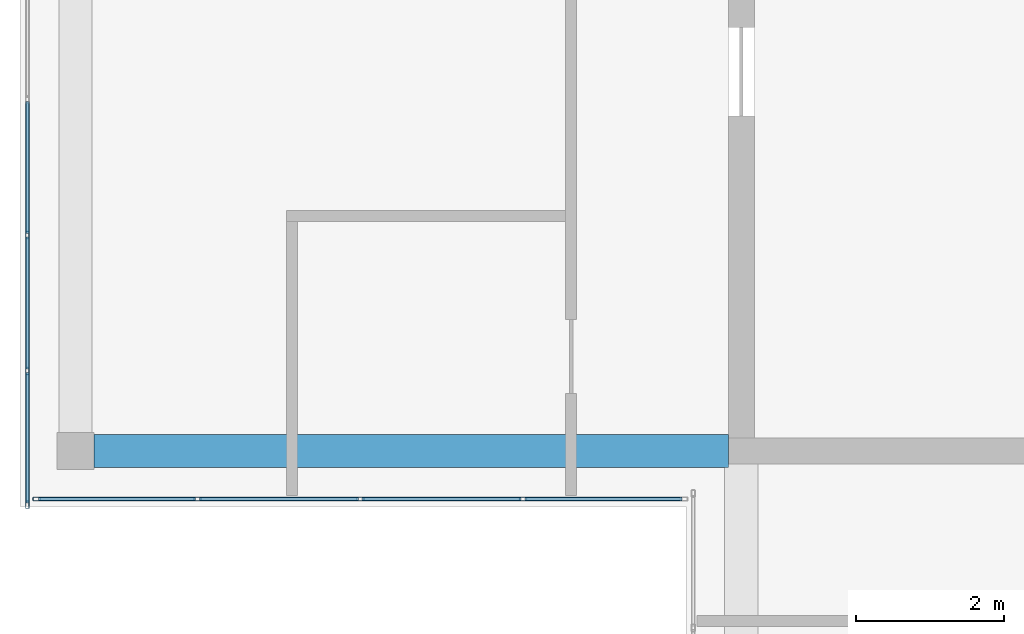
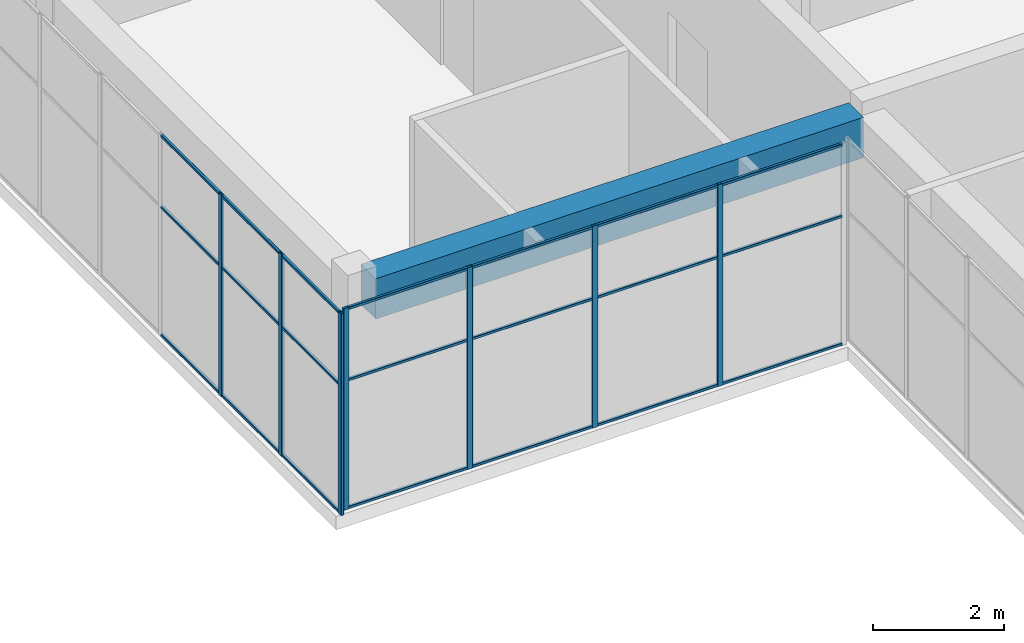
# One storey, part 4 of 34: 28 members, 1 beam, 2 elements without a shape of their own.
"""IFC4 building model written with IfcOpenShell, lengths in metres."""

import ifcopenshell
import ifcopenshell.guid

model = None  # the IFC model being written
_history = None  # IfcOwnerHistory: only IFC2X3 demands one
_inside = {}  # id of a spatial element -> (the spatial element, [elements in it])
_under = {}  # id of a project, library or spatial element -> (it, [spatial elements below it])
_declared = {}  # id of a project -> (the project, [libraries it declares])
_typed = {}  # id of a type object -> (the type object, [elements of that type])
_made_of = {}  # id of a material, layer set ... -> (it, [elements and type objects made of it])


def new_model(schema):
    """Start an empty IFC model of exactly this schema.

    Asked for "IFC4X3", IfcOpenShell would pick the latest addendum, in which some entities
    have other attributes; the version numbers below select the first issue.
    IFC2X3 requires an IfcOwnerHistory on every rooted entity: one is made here for all.
    """
    global model, _history
    if schema == "IFC4X3":
        model = ifcopenshell.file(schema_version=(4, 3, 0, 0))
    else:
        model = ifcopenshell.file(schema=schema)
    _inside.clear()
    _under.clear()
    _declared.clear()
    _typed.clear()
    _made_of.clear()
    _history = None
    if model.schema == "IFC2X3":
        org = make("IfcOrganization", Name="unknown")
        user = make(
            "IfcPersonAndOrganization",
            ThePerson=make("IfcPerson", FamilyName="unknown"),
            TheOrganization=org,
        )
        app = make(
            "IfcApplication",
            ApplicationDeveloper=org,
            Version="unknown",
            ApplicationFullName="unknown",
            ApplicationIdentifier="unknown",
        )
        _history = make(
            "IfcOwnerHistory",
            OwningUser=user,
            OwningApplication=app,
            ChangeAction="ADDED",
            CreationDate=0,
        )
    return model


def make(cls, **values):
    """One entity of the class cls with the attributes given. An attribute that is None is left unset."""
    return model.create_entity(
        cls, **{name: value for name, value in values.items() if value is not None}
    )


def rooted(cls, **values):
    """An entity with a GlobalId (a new one), such as an element, a storey or a relation."""
    return make(cls, GlobalId=ifcopenshell.guid.new(), OwnerHistory=_history, **values)


def si_unit(unit_type, name, prefix=None):
    """IfcSIUnit, for example si_unit("LENGTHUNIT", "METRE", prefix="MILLI")."""
    return make("IfcSIUnit", UnitType=unit_type, Prefix=prefix, Name=name)


def assignment(units):
    """IfcUnitAssignment: the units of a project."""
    return None if units is None else make("IfcUnitAssignment", Units=units)


def point(xyz):
    """IfcCartesianPoint."""
    return None if xyz is None else make("IfcCartesianPoint", Coordinates=xyz)


def direction(xyz):
    """IfcDirection."""
    return None if xyz is None else make("IfcDirection", DirectionRatios=xyz)


def frame(location, z_axis=None, x_axis=None):
    """IfcAxis2Placement3D, a coordinate frame: its origin and axes. An axis left out is left unset."""
    return make(
        "IfcAxis2Placement3D",
        Location=point(location),
        Axis=direction(z_axis),
        RefDirection=direction(x_axis),
    )


def frame_2d(location, x_axis=None):
    """IfcAxis2Placement2D, a coordinate frame in the plane: its origin and x axis."""
    return make(
        "IfcAxis2Placement2D", Location=point(location), RefDirection=direction(x_axis)
    )


def origin():
    """The frame at (0, 0, 0) with its axes left unset."""
    return frame((0.0, 0.0, 0.0))


def origin_2d():
    """The frame at (0, 0) in the plane with its x axis left unset."""
    return frame_2d((0.0, 0.0))


def place(relative_to, where):
    """IfcLocalPlacement: puts the frame where relative to a parent placement (None: the world)."""
    return make(
        "IfcLocalPlacement", PlacementRelTo=relative_to, RelativePlacement=where
    )


def context(
    kind, dimensions, precision=None, world=None, true_north=None, identifier=None
):
    """IfcGeometricRepresentationContext, for example the 3D "Model" context."""
    return make(
        "IfcGeometricRepresentationContext",
        ContextIdentifier=identifier,
        ContextType=kind,
        CoordinateSpaceDimension=dimensions,
        Precision=precision,
        WorldCoordinateSystem=world,
        TrueNorth=true_north,
    )


def subcontext(parent, identifier, kind, view, scale=None):
    """IfcGeometricRepresentationSubContext, for example "Body" below "Model"."""
    return make(
        "IfcGeometricRepresentationSubContext",
        ContextIdentifier=identifier,
        ContextType=kind,
        ParentContext=parent,
        TargetScale=scale,
        TargetView=view,
    )


def project(units=None, contexts=None):
    """IfcProject with its units and contexts."""
    return rooted(
        "IfcProject",
        Name="project",
        RepresentationContexts=contexts,
        UnitsInContext=assignment(units),
    )


def spatial(cls, under=None, at=None, **own):
    """A site, building, storey or space (cls), placed at a placement, below another one or the project."""
    s = rooted(cls, ObjectPlacement=at, **own)
    if under is not None:
        _under.setdefault(under.id(), (under, []))[1].append(s)
    return s


def profile(cls, at=None, kind="AREA", **sizes):
    """A parametric profile (cls). Its sizes go by their IFC names, for example OverallWidth=200.0."""
    return make(cls, ProfileType=kind, Position=at, **sizes)


def rectangle(**sizes):
    """IfcRectangleProfileDef."""
    return profile("IfcRectangleProfileDef", **sizes)


def hollow_rectangle(**sizes):
    """IfcRectangleHollowProfileDef."""
    return profile("IfcRectangleHollowProfileDef", **sizes)


def extrude(swept, where, along, depth):
    """IfcExtrudedAreaSolid: the profile swept, set in the frame where, extruded along a direction by depth."""
    return make(
        "IfcExtrudedAreaSolid",
        SweptArea=swept,
        Position=where,
        ExtrudedDirection=direction(along),
        Depth=depth,
    )


def shape(context_of_items, identifier, shape_type, items):
    """IfcShapeRepresentation: the items that make up one representation, for example the "Body"."""
    return make(
        "IfcShapeRepresentation",
        ContextOfItems=context_of_items,
        RepresentationIdentifier=identifier,
        RepresentationType=shape_type,
        Items=items,
    )


def material(Name=None, Category=None):
    """IfcMaterial."""
    return make("IfcMaterial", Name=Name, Category=Category)


def layer(
    of_material, thickness, ventilated=None, Name=None, Category=None, Priority=None
):
    """IfcMaterialLayer: one layer of a wall or slab, of a material (None: an air gap)."""
    return make(
        "IfcMaterialLayer",
        Material=of_material,
        LayerThickness=thickness,
        IsVentilated=ventilated,
        Name=Name,
        Category=Category,
        Priority=Priority,
    )


def layer_set(layers, Name=None):
    """IfcMaterialLayerSet."""
    return make("IfcMaterialLayerSet", MaterialLayers=layers, LayerSetName=Name)


def material_profile(
    of_material, cross_section, Name=None, Category=None, Priority=None
):
    """IfcMaterialProfile: a cross section and its material."""
    return make(
        "IfcMaterialProfile",
        Name=Name,
        Material=of_material,
        Profile=cross_section,
        Priority=Priority,
        Category=Category,
    )


def profile_set(profiles, Name=None, composite=None):
    """IfcMaterialProfileSet."""
    return make(
        "IfcMaterialProfileSet",
        Name=Name,
        MaterialProfiles=profiles,
        CompositeProfile=composite,
    )


def made_of(thing, what):
    """Note that an element or type object is made of a material, layer set ...; save() writes the relation."""
    if what is not None:
        _made_of.setdefault(what.id(), (what, []))[1].append(thing)
    return thing


def type_object(cls, material=None, **own):
    """A type object (cls), such as IfcWallType, which elements share."""
    return made_of(rooted(cls, **own), material)


def element(
    cls,
    number,
    at=None,
    inside=None,
    cuts=None,
    type_object=None,
    material=None,
    context=None,
    identifier="Body",
    shape_type=None,
    held_by="IfcProductDefinitionShape",
    body=None,
    shapes=None,
    **own,
):
    """One element of the class cls, such as IfcWall. Its Tag is "e" and its number.

    at: its placement. inside: the storey or other place that contains it. cuts: it is an
    opening in that element (IfcRelVoidsElement). A single representation is given by context,
    identifier, shape_type and body (its items); several are given by shapes. held_by: the class
    of the entity that holds the representations. save() writes the other relations.
    """
    e = rooted(cls, Tag="e%d" % number, ObjectPlacement=at, **own)
    if body is not None:
        shapes = [shape(context, identifier, shape_type, body)]
    if shapes is not None:
        e.Representation = make(held_by, Representations=shapes)
    if inside is not None:
        _inside.setdefault(inside.id(), (inside, []))[1].append(e)
    if cuts is not None:
        rooted(
            "IfcRelVoidsElement", RelatingBuildingElement=cuts, RelatedOpeningElement=e
        )
    if type_object is not None:
        _typed.setdefault(type_object.id(), (type_object, []))[1].append(e)
    return made_of(e, material)


def aggregate(whole, parts):
    """IfcRelAggregates: a whole, such as a stair, and the parts it consists of."""
    return rooted("IfcRelAggregates", RelatingObject=whole, RelatedObjects=parts)


def save(model, path):
    """Write the relations noted so far, then the file.

    IfcRelAggregates (storeys below a building ...), IfcRelContainedInSpatialStructure (elements
    in a storey), IfcRelDefinesByType, IfcRelAssociatesMaterial and IfcRelDeclares: one each for
    every whole, place, type object, material and project.
    """
    for whole, parts in _under.values():
        aggregate(whole, parts)
    for where, things in _inside.values():
        rooted(
            "IfcRelContainedInSpatialStructure",
            RelatedElements=things,
            RelatingStructure=where,
        )
    for kind, things in _typed.values():
        rooted("IfcRelDefinesByType", RelatedObjects=things, RelatingType=kind)
    for what, things in _made_of.values():
        rooted("IfcRelAssociatesMaterial", RelatedObjects=things, RelatingMaterial=what)
    for by, libraries in _declared.values():
        rooted("IfcRelDeclares", RelatingContext=by, RelatedDefinitions=libraries)
    model.write(path)


model = new_model("IFC4")

# Units and contexts
model_context = context("Model", 3, precision=1e-05, world=origin(), true_north=direction((0.0, 1.0)))
body_context = subcontext(model_context, "Body", "Model", "MODEL_VIEW")
ifc_project = project(units=[si_unit("LENGTHUNIT", "METRE"), si_unit("AREAUNIT", "SQUARE_METRE"), si_unit("VOLUMEUNIT", "CUBIC_METRE"), si_unit("PLANEANGLEUNIT", "RADIAN"), si_unit("MASSUNIT", "GRAM", prefix="KILO")], contexts=[model_context])

# Site, building, storey
site_placement = place(None, origin())
site = spatial("IfcSite", under=ifc_project, at=site_placement, CompositionType="ELEMENT")
building_placement = place(site_placement, origin())
building = spatial("IfcBuilding", under=site, at=building_placement, Name="Tuart Plaza Theatre", CompositionType="ELEMENT")
storey_placement = place(building_placement, frame((0.0, 0.0, 57.5)))
storey = spatial("IfcBuildingStorey", under=building, at=storey_placement, Name="L14", CompositionType="ELEMENT", Elevation=57.5)

# Beam
ifc_material_1 = material(Name="Concrete N40 (40 MPa)", Category="concrete")
ifc_material_profile_1 = material_profile(ifc_material_1, rectangle(XDim=0.449951171875, YDim=0.75, at=origin_2d()), Name="BEAM 450x750 Concrete N40 (40 MPa)")
ifc_profile_set_1 = profile_set([ifc_material_profile_1], Name="Concrete N40 (40 MPa)")
beam_type = type_object("IfcBeamType", Name="BEAM 450x750 Concrete N40 (40 MPa)", PredefinedType="BEAM", material=ifc_profile_set_1)
beam_placement = place(storey_placement, frame((114.25, 65.0, 3.375), z_axis=(1.0, 0.0, 0.0), x_axis=(0.0, 1.0, 0.0)))
element("IfcBeam", 1, at=beam_placement, inside=storey, type_object=beam_type, Name="RB319", PredefinedType="BEAM", context=body_context, shape_type="SweptSolid", body=[
    extrude(rectangle(XDim=0.449951171875, YDim=0.75, at=origin_2d()), origin(), (0.0, 0.0, 1.0), 8.574951171875),
])

# Curtain wall, members
ifc_material_2 = material(Name="Aluminium and glass", Category="aluminium")
ifc_layer_1 = layer(ifc_material_2, 0.10009765625)
ifc_layer_set_1 = layer_set([ifc_layer_1], Name="CURTAIN WALL 1800 module")
curtain_wall_type_1 = type_object("IfcCurtainWallType", Name="CURTAIN WALL 1800 module", PredefinedType="NOTDEFINED", material=ifc_layer_set_1)
curtain_wall_1_placement = place(storey_placement, origin())
curtain_wall_1 = element("IfcCurtainWall", 2, at=curtain_wall_1_placement, inside=storey, type_object=curtain_wall_type_1, Name="CW118", PredefinedType="NOTDEFINED")
ifc_material_3 = material(Name="Aluminium 6063-T5", Category="aluminium")
ifc_material_profile_2 = material_profile(ifc_material_3, hollow_rectangle(XDim=0.050048828125, YDim=0.10009765625, WallThickness=0.00390625, InnerFilletRadius=0.00390625, OuterFilletRadius=0.008056640625, at=origin_2d()), Name="RHS 100x50x4")
ifc_profile_set_2 = profile_set([ifc_material_profile_2], Name="Aluminium 6063-T5")
member_type_1 = type_object("IfcMemberType", Name="MULLION RHS 100x50x4", PredefinedType="MULLION", material=ifc_profile_set_2)
member_1_placement = place(storey_placement, frame((113.35009765625, 67.916748046875, 0.0), z_axis=(0.0, 0.0, 1.0), x_axis=(1.0, 0.0, 0.0)))
member_1 = element("IfcMember", 3, at=member_1_placement, type_object=member_type_1, Name="CW118 mullion 17", PredefinedType="MULLION", context=body_context, shape_type="SweptSolid", body=[
    extrude(hollow_rectangle(XDim=0.050048828125, YDim=0.10009765625, WallThickness=0.00390625, InnerFilletRadius=0.00390625, OuterFilletRadius=0.008056640625, at=origin_2d()), origin(), (0.0, 0.0, 1.0), 3.75),
])
member_2_placement = place(storey_placement, frame((113.35009765625, 66.083251953125, 0.0), z_axis=(0.0, 0.0, 1.0), x_axis=(1.0, 0.0, 0.0)))
member_2 = element("IfcMember", 4, at=member_2_placement, type_object=member_type_1, Name="CW118 mullion 18", PredefinedType="MULLION", context=body_context, shape_type="SweptSolid", body=[
    extrude(hollow_rectangle(XDim=0.050048828125, YDim=0.10009765625, WallThickness=0.00390625, InnerFilletRadius=0.00390625, OuterFilletRadius=0.008056640625, at=origin_2d()), origin(), (0.0, 0.0, 1.0), 3.75),
])
member_3_placement = place(storey_placement, frame((113.35009765625, 64.27490234375, 0.0), z_axis=(0.0, 0.0, 1.0), x_axis=(1.0, 0.0, 0.0)))
member_3 = element("IfcMember", 5, at=member_3_placement, type_object=member_type_1, Name="CW118 mullion 19", PredefinedType="MULLION", context=body_context, shape_type="SweptSolid", body=[
    extrude(hollow_rectangle(XDim=0.050048828125, YDim=0.10009765625, WallThickness=0.00390625, InnerFilletRadius=0.00390625, OuterFilletRadius=0.008056640625, at=origin_2d()), origin(), (0.0, 0.0, 1.0), 3.75),
])

ifc_material_4 = material(Name="Aluminium and glass", Category="aluminium")
ifc_layer_2 = layer(ifc_material_4, 0.10009765625)
ifc_layer_set_2 = layer_set([ifc_layer_2], Name="CURTAIN WALL 2000 module")
curtain_wall_type_2 = type_object("IfcCurtainWallType", Name="CURTAIN WALL 2000 module", PredefinedType="NOTDEFINED", material=ifc_layer_set_2)
curtain_wall_2_placement = place(storey_placement, origin())
curtain_wall_2 = element("IfcCurtainWall", 6, at=curtain_wall_2_placement, inside=storey, type_object=curtain_wall_type_2, Name="CW120", PredefinedType="NOTDEFINED")
member_4_placement = place(storey_placement, frame((113.47509765625, 64.35009765625, 0.0), z_axis=(0.0, 0.0, 1.0), x_axis=(0.0, 1.0, 0.0)))
member_4 = element("IfcMember", 7, at=member_4_placement, type_object=member_type_1, Name="CW120 mullion 1", PredefinedType="MULLION", context=body_context, shape_type="SweptSolid", body=[
    extrude(hollow_rectangle(XDim=0.050048828125, YDim=0.10009765625, WallThickness=0.00390625, InnerFilletRadius=0.00390625, OuterFilletRadius=0.008056640625, at=origin_2d()), origin(), (0.0, 0.0, 1.0), 3.75),
])
member_5_placement = place(storey_placement, frame((115.64990234375, 64.35009765625, 0.0), z_axis=(0.0, 0.0, 1.0), x_axis=(0.0, 1.0, 0.0)))
member_5 = element("IfcMember", 8, at=member_5_placement, type_object=member_type_1, Name="CW120 mullion 2", PredefinedType="MULLION", context=body_context, shape_type="SweptSolid", body=[
    extrude(hollow_rectangle(XDim=0.050048828125, YDim=0.10009765625, WallThickness=0.00390625, InnerFilletRadius=0.00390625, OuterFilletRadius=0.008056640625, at=origin_2d()), origin(), (0.0, 0.0, 1.0), 3.75),
])
member_6_placement = place(storey_placement, frame((117.85009765625, 64.35009765625, 0.0), z_axis=(0.0, 0.0, 1.0), x_axis=(0.0, 1.0, 0.0)))
member_6 = element("IfcMember", 9, at=member_6_placement, type_object=member_type_1, Name="CW120 mullion 3", PredefinedType="MULLION", context=body_context, shape_type="SweptSolid", body=[
    extrude(hollow_rectangle(XDim=0.050048828125, YDim=0.10009765625, WallThickness=0.00390625, InnerFilletRadius=0.00390625, OuterFilletRadius=0.008056640625, at=origin_2d()), origin(), (0.0, 0.0, 1.0), 3.75),
])
member_7_placement = place(storey_placement, frame((120.050048828125, 64.35009765625, 0.0), z_axis=(0.0, 0.0, 1.0), x_axis=(0.0, 1.0, 0.0)))
member_7 = element("IfcMember", 10, at=member_7_placement, type_object=member_type_1, Name="CW120 mullion 4", PredefinedType="MULLION", context=body_context, shape_type="SweptSolid", body=[
    extrude(hollow_rectangle(XDim=0.050048828125, YDim=0.10009765625, WallThickness=0.00390625, InnerFilletRadius=0.00390625, OuterFilletRadius=0.008056640625, at=origin_2d()), origin(), (0.0, 0.0, 1.0), 3.75),
])

# Member
ifc_material_5 = material(Name="Aluminium 6063-T5", Category="aluminium")
ifc_material_profile_3 = material_profile(ifc_material_5, hollow_rectangle(XDim=0.050048828125, YDim=0.050048828125, WallThickness=0.00390625, InnerFilletRadius=0.00390625, OuterFilletRadius=0.008056640625, at=origin_2d()), Name="RHS 50x50x4")
ifc_profile_set_3 = profile_set([ifc_material_profile_3], Name="Aluminium 6063-T5")
member_type_2 = type_object("IfcMemberType", Name="TRANSOM RHS 50x50x4", PredefinedType="USERDEFINED", material=ifc_profile_set_3)
member_8_placement = place(storey_placement, frame((113.35009765625, 69.72509765625, 0.02490234375), z_axis=(0.0, -1.0, 0.0), x_axis=(1.0, 0.0, 0.0)))
member_8 = element("IfcMember", 11, at=member_8_placement, type_object=member_type_2, Name="CW118 transom 16.1", ObjectType="TRANSOM", PredefinedType="USERDEFINED", context=body_context, shape_type="SweptSolid", body=[
    extrude(hollow_rectangle(XDim=0.050048828125, YDim=0.050048828125, WallThickness=0.00390625, InnerFilletRadius=0.00390625, OuterFilletRadius=0.008056640625, at=origin_2d()), origin(), (0.0, 0.0, 1.0), 1.783447265625),
])

member_9_placement = place(storey_placement, frame((113.35009765625, 69.72509765625, 2.39990234375), z_axis=(0.0, -1.0, 0.0), x_axis=(1.0, 0.0, 0.0)))
member_9 = element("IfcMember", 12, at=member_9_placement, type_object=member_type_2, Name="CW118 transom 16.2", ObjectType="TRANSOM", PredefinedType="USERDEFINED", context=body_context, shape_type="SweptSolid", body=[
    extrude(hollow_rectangle(XDim=0.050048828125, YDim=0.050048828125, WallThickness=0.00390625, InnerFilletRadius=0.00390625, OuterFilletRadius=0.008056640625, at=origin_2d()), origin(), (0.0, 0.0, 1.0), 1.783447265625),
])

member_10_placement = place(storey_placement, frame((113.35009765625, 69.72509765625, 3.72509765625), z_axis=(0.0, -1.0, 0.0), x_axis=(1.0, 0.0, 0.0)))
member_10 = element("IfcMember", 13, at=member_10_placement, type_object=member_type_2, Name="CW118 transom 16.3", ObjectType="TRANSOM", PredefinedType="USERDEFINED", context=body_context, shape_type="SweptSolid", body=[
    extrude(hollow_rectangle(XDim=0.050048828125, YDim=0.050048828125, WallThickness=0.00390625, InnerFilletRadius=0.00390625, OuterFilletRadius=0.008056640625, at=origin_2d()), origin(), (0.0, 0.0, 1.0), 1.783447265625),
])

member_11_placement = place(storey_placement, frame((113.35009765625, 67.8916015625, 0.02490234375), z_axis=(0.0, -1.0, 0.0), x_axis=(1.0, 0.0, 0.0)))
member_11 = element("IfcMember", 14, at=member_11_placement, type_object=member_type_2, Name="CW118 transom 17.1", ObjectType="TRANSOM", PredefinedType="USERDEFINED", context=body_context, shape_type="SweptSolid", body=[
    extrude(hollow_rectangle(XDim=0.050048828125, YDim=0.050048828125, WallThickness=0.00390625, InnerFilletRadius=0.00390625, OuterFilletRadius=0.008056640625, at=origin_2d()), origin(), (0.0, 0.0, 1.0), 1.783203125),
])

member_12_placement = place(storey_placement, frame((113.35009765625, 67.8916015625, 2.39990234375), z_axis=(0.0, -1.0, 0.0), x_axis=(1.0, 0.0, 0.0)))
member_12 = element("IfcMember", 15, at=member_12_placement, type_object=member_type_2, Name="CW118 transom 17.2", ObjectType="TRANSOM", PredefinedType="USERDEFINED", context=body_context, shape_type="SweptSolid", body=[
    extrude(hollow_rectangle(XDim=0.050048828125, YDim=0.050048828125, WallThickness=0.00390625, InnerFilletRadius=0.00390625, OuterFilletRadius=0.008056640625, at=origin_2d()), origin(), (0.0, 0.0, 1.0), 1.783203125),
])

member_13_placement = place(storey_placement, frame((113.35009765625, 67.8916015625, 3.72509765625), z_axis=(0.0, -1.0, 0.0), x_axis=(1.0, 0.0, 0.0)))
member_13 = element("IfcMember", 16, at=member_13_placement, type_object=member_type_2, Name="CW118 transom 17.3", ObjectType="TRANSOM", PredefinedType="USERDEFINED", context=body_context, shape_type="SweptSolid", body=[
    extrude(hollow_rectangle(XDim=0.050048828125, YDim=0.050048828125, WallThickness=0.00390625, InnerFilletRadius=0.00390625, OuterFilletRadius=0.008056640625, at=origin_2d()), origin(), (0.0, 0.0, 1.0), 1.783203125),
])

member_14_placement = place(storey_placement, frame((113.35009765625, 66.058349609375, 0.02490234375), z_axis=(0.0, -1.0, 0.0), x_axis=(1.0, 0.0, 0.0)))
member_14 = element("IfcMember", 17, at=member_14_placement, type_object=member_type_2, Name="CW118 transom 18.1", ObjectType="TRANSOM", PredefinedType="USERDEFINED", context=body_context, shape_type="SweptSolid", body=[
    extrude(hollow_rectangle(XDim=0.050048828125, YDim=0.050048828125, WallThickness=0.00390625, InnerFilletRadius=0.00390625, OuterFilletRadius=0.008056640625, at=origin_2d()), origin(), (0.0, 0.0, 1.0), 1.75830078125),
])

member_15_placement = place(storey_placement, frame((113.35009765625, 66.058349609375, 2.39990234375), z_axis=(0.0, -1.0, 0.0), x_axis=(1.0, 0.0, 0.0)))
member_15 = element("IfcMember", 18, at=member_15_placement, type_object=member_type_2, Name="CW118 transom 18.2", ObjectType="TRANSOM", PredefinedType="USERDEFINED", context=body_context, shape_type="SweptSolid", body=[
    extrude(hollow_rectangle(XDim=0.050048828125, YDim=0.050048828125, WallThickness=0.00390625, InnerFilletRadius=0.00390625, OuterFilletRadius=0.008056640625, at=origin_2d()), origin(), (0.0, 0.0, 1.0), 1.75830078125),
])

member_16_placement = place(storey_placement, frame((113.35009765625, 66.058349609375, 3.72509765625), z_axis=(0.0, -1.0, 0.0), x_axis=(1.0, 0.0, 0.0)))
member_16 = element("IfcMember", 19, at=member_16_placement, type_object=member_type_2, Name="CW118 transom 18.3", ObjectType="TRANSOM", PredefinedType="USERDEFINED", context=body_context, shape_type="SweptSolid", body=[
    extrude(hollow_rectangle(XDim=0.050048828125, YDim=0.050048828125, WallThickness=0.00390625, InnerFilletRadius=0.00390625, OuterFilletRadius=0.008056640625, at=origin_2d()), origin(), (0.0, 0.0, 1.0), 1.75830078125),
])

aggregate(curtain_wall_1, [member_1, member_2, member_3, member_8, member_9, member_10, member_11, member_12, member_13, member_14, member_15, member_16])

member_17_placement = place(storey_placement, frame((113.5, 64.35009765625, 0.02490234375), z_axis=(1.0, 0.0, 0.0), x_axis=(0.0, 1.0, 0.0)))
member_17 = element("IfcMember", 20, at=member_17_placement, type_object=member_type_2, Name="CW120 transom 1.1", ObjectType="TRANSOM", PredefinedType="USERDEFINED", context=body_context, shape_type="SweptSolid", body=[
    extrude(hollow_rectangle(XDim=0.050048828125, YDim=0.050048828125, WallThickness=0.00390625, InnerFilletRadius=0.00390625, OuterFilletRadius=0.008056640625, at=origin_2d()), origin(), (0.0, 0.0, 1.0), 2.125),
])

member_18_placement = place(storey_placement, frame((113.5, 64.35009765625, 2.39990234375), z_axis=(1.0, 0.0, 0.0), x_axis=(0.0, 1.0, 0.0)))
member_18 = element("IfcMember", 21, at=member_18_placement, type_object=member_type_2, Name="CW120 transom 1.2", ObjectType="TRANSOM", PredefinedType="USERDEFINED", context=body_context, shape_type="SweptSolid", body=[
    extrude(hollow_rectangle(XDim=0.050048828125, YDim=0.050048828125, WallThickness=0.00390625, InnerFilletRadius=0.00390625, OuterFilletRadius=0.008056640625, at=origin_2d()), origin(), (0.0, 0.0, 1.0), 2.125),
])

member_19_placement = place(storey_placement, frame((113.5, 64.35009765625, 3.72509765625), z_axis=(1.0, 0.0, 0.0), x_axis=(0.0, 1.0, 0.0)))
member_19 = element("IfcMember", 22, at=member_19_placement, type_object=member_type_2, Name="CW120 transom 1.3", ObjectType="TRANSOM", PredefinedType="USERDEFINED", context=body_context, shape_type="SweptSolid", body=[
    extrude(hollow_rectangle(XDim=0.050048828125, YDim=0.050048828125, WallThickness=0.00390625, InnerFilletRadius=0.00390625, OuterFilletRadius=0.008056640625, at=origin_2d()), origin(), (0.0, 0.0, 1.0), 2.125),
])

member_20_placement = place(storey_placement, frame((115.675048828125, 64.35009765625, 0.02490234375), z_axis=(1.0, 0.0, 0.0), x_axis=(0.0, 1.0, 0.0)))
member_20 = element("IfcMember", 23, at=member_20_placement, type_object=member_type_2, Name="CW120 transom 2.1", ObjectType="TRANSOM", PredefinedType="USERDEFINED", context=body_context, shape_type="SweptSolid", body=[
    extrude(hollow_rectangle(XDim=0.050048828125, YDim=0.050048828125, WallThickness=0.00390625, InnerFilletRadius=0.00390625, OuterFilletRadius=0.008056640625, at=origin_2d()), origin(), (0.0, 0.0, 1.0), 2.14990234375),
])

member_21_placement = place(storey_placement, frame((115.675048828125, 64.35009765625, 2.39990234375), z_axis=(1.0, 0.0, 0.0), x_axis=(0.0, 1.0, 0.0)))
member_21 = element("IfcMember", 24, at=member_21_placement, type_object=member_type_2, Name="CW120 transom 2.2", ObjectType="TRANSOM", PredefinedType="USERDEFINED", context=body_context, shape_type="SweptSolid", body=[
    extrude(hollow_rectangle(XDim=0.050048828125, YDim=0.050048828125, WallThickness=0.00390625, InnerFilletRadius=0.00390625, OuterFilletRadius=0.008056640625, at=origin_2d()), origin(), (0.0, 0.0, 1.0), 2.14990234375),
])

member_22_placement = place(storey_placement, frame((115.675048828125, 64.35009765625, 3.72509765625), z_axis=(1.0, 0.0, 0.0), x_axis=(0.0, 1.0, 0.0)))
member_22 = element("IfcMember", 25, at=member_22_placement, type_object=member_type_2, Name="CW120 transom 2.3", ObjectType="TRANSOM", PredefinedType="USERDEFINED", context=body_context, shape_type="SweptSolid", body=[
    extrude(hollow_rectangle(XDim=0.050048828125, YDim=0.050048828125, WallThickness=0.00390625, InnerFilletRadius=0.00390625, OuterFilletRadius=0.008056640625, at=origin_2d()), origin(), (0.0, 0.0, 1.0), 2.14990234375),
])

member_23_placement = place(storey_placement, frame((117.875, 64.35009765625, 0.02490234375), z_axis=(1.0, 0.0, 0.0), x_axis=(0.0, 1.0, 0.0)))
member_23 = element("IfcMember", 26, at=member_23_placement, type_object=member_type_2, Name="CW120 transom 3.1", ObjectType="TRANSOM", PredefinedType="USERDEFINED", context=body_context, shape_type="SweptSolid", body=[
    extrude(hollow_rectangle(XDim=0.050048828125, YDim=0.050048828125, WallThickness=0.00390625, InnerFilletRadius=0.00390625, OuterFilletRadius=0.008056640625, at=origin_2d()), origin(), (0.0, 0.0, 1.0), 2.14990234375),
])

member_24_placement = place(storey_placement, frame((117.875, 64.35009765625, 2.39990234375), z_axis=(1.0, 0.0, 0.0), x_axis=(0.0, 1.0, 0.0)))
member_24 = element("IfcMember", 27, at=member_24_placement, type_object=member_type_2, Name="CW120 transom 3.2", ObjectType="TRANSOM", PredefinedType="USERDEFINED", context=body_context, shape_type="SweptSolid", body=[
    extrude(hollow_rectangle(XDim=0.050048828125, YDim=0.050048828125, WallThickness=0.00390625, InnerFilletRadius=0.00390625, OuterFilletRadius=0.008056640625, at=origin_2d()), origin(), (0.0, 0.0, 1.0), 2.14990234375),
])

member_25_placement = place(storey_placement, frame((117.875, 64.35009765625, 3.72509765625), z_axis=(1.0, 0.0, 0.0), x_axis=(0.0, 1.0, 0.0)))
member_25 = element("IfcMember", 28, at=member_25_placement, type_object=member_type_2, Name="CW120 transom 3.3", ObjectType="TRANSOM", PredefinedType="USERDEFINED", context=body_context, shape_type="SweptSolid", body=[
    extrude(hollow_rectangle(XDim=0.050048828125, YDim=0.050048828125, WallThickness=0.00390625, InnerFilletRadius=0.00390625, OuterFilletRadius=0.008056640625, at=origin_2d()), origin(), (0.0, 0.0, 1.0), 2.14990234375),
])

member_26_placement = place(storey_placement, frame((120.074951171875, 64.35009765625, 0.02490234375), z_axis=(1.0, 0.0, 0.0), x_axis=(0.0, 1.0, 0.0)))
member_26 = element("IfcMember", 29, at=member_26_placement, type_object=member_type_2, Name="CW120 transom 4.1", ObjectType="TRANSOM", PredefinedType="USERDEFINED", context=body_context, shape_type="SweptSolid", body=[
    extrude(hollow_rectangle(XDim=0.050048828125, YDim=0.050048828125, WallThickness=0.00390625, InnerFilletRadius=0.00390625, OuterFilletRadius=0.008056640625, at=origin_2d()), origin(), (0.0, 0.0, 1.0), 2.125),
])

member_27_placement = place(storey_placement, frame((120.074951171875, 64.35009765625, 2.39990234375), z_axis=(1.0, 0.0, 0.0), x_axis=(0.0, 1.0, 0.0)))
member_27 = element("IfcMember", 30, at=member_27_placement, type_object=member_type_2, Name="CW120 transom 4.2", ObjectType="TRANSOM", PredefinedType="USERDEFINED", context=body_context, shape_type="SweptSolid", body=[
    extrude(hollow_rectangle(XDim=0.050048828125, YDim=0.050048828125, WallThickness=0.00390625, InnerFilletRadius=0.00390625, OuterFilletRadius=0.008056640625, at=origin_2d()), origin(), (0.0, 0.0, 1.0), 2.125),
])

member_28_placement = place(storey_placement, frame((120.074951171875, 64.35009765625, 3.72509765625), z_axis=(1.0, 0.0, 0.0), x_axis=(0.0, 1.0, 0.0)))
member_28 = element("IfcMember", 31, at=member_28_placement, type_object=member_type_2, Name="CW120 transom 4.3", ObjectType="TRANSOM", PredefinedType="USERDEFINED", context=body_context, shape_type="SweptSolid", body=[
    extrude(hollow_rectangle(XDim=0.050048828125, YDim=0.050048828125, WallThickness=0.00390625, InnerFilletRadius=0.00390625, OuterFilletRadius=0.008056640625, at=origin_2d()), origin(), (0.0, 0.0, 1.0), 2.125),
])

aggregate(curtain_wall_2, [member_4, member_5, member_6, member_7, member_17, member_18, member_19, member_20, member_21, member_22, member_23, member_24, member_25, member_26, member_27, member_28])

save(model, "model.ifc")
